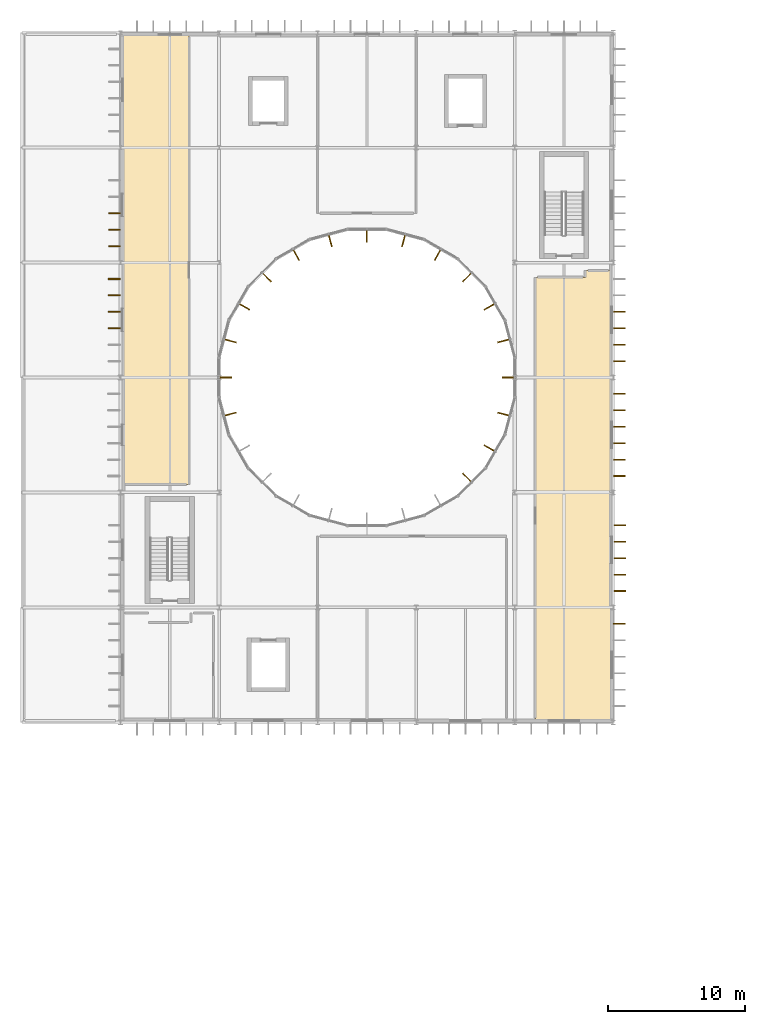
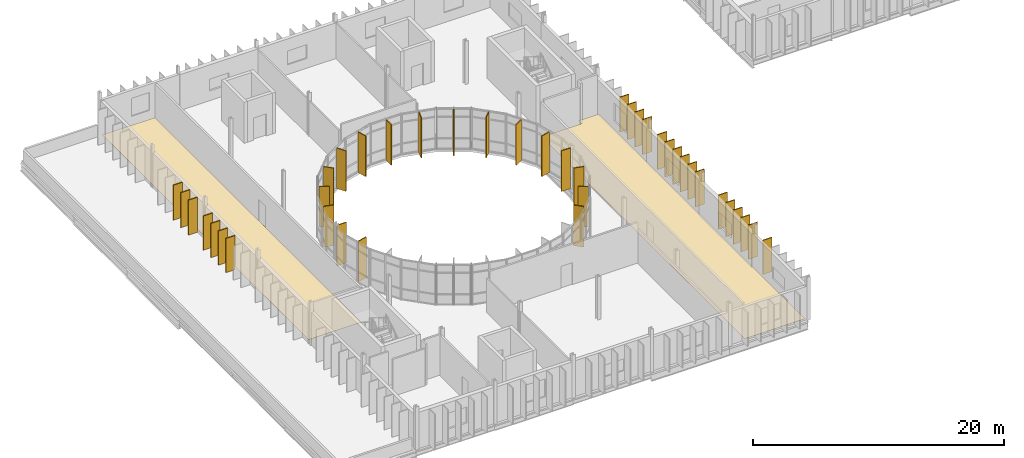
# One storey, part 47 of 52: 40 shading devices, 2 coverings.
"""IFC4 building model written with IfcOpenShell, lengths in metres."""

from ifc_helpers import new_model, si_unit, direction, frame, origin, origin_2d, place, context, subcontext, project, spatial, polyline, rectangle, outline, extrude, material, layer, layer_set, type_object, element, save


model = new_model("IFC4")

# Units and contexts
model_context = context("Model", 3, precision=1e-05, world=origin(), true_north=direction((0.0, 1.0)))
body_context = subcontext(model_context, "Body", "Model", "MODEL_VIEW")
ifc_project = project(units=[si_unit("LENGTHUNIT", "METRE"), si_unit("AREAUNIT", "SQUARE_METRE"), si_unit("VOLUMEUNIT", "CUBIC_METRE"), si_unit("PLANEANGLEUNIT", "RADIAN"), si_unit("MASSUNIT", "GRAM", prefix="KILO")], contexts=[model_context])

# Site, building, storey
site_placement = place(None, origin())
site = spatial("IfcSite", under=ifc_project, at=site_placement, CompositionType="ELEMENT")
building_placement = place(site_placement, origin())
building = spatial("IfcBuilding", under=site, at=building_placement, Name="Qelthora Terrace Specialist Clinic", CompositionType="ELEMENT")
storey_placement = place(building_placement, frame((0.0, 0.0, 17.39990234375)))
storey = spatial("IfcBuildingStorey", under=building, at=storey_placement, Name="L04", CompositionType="ELEMENT", Elevation=17.39990234375)

# Coverings
ifc_material_1 = material(Name="Antimicrobial clinical linoleum flooring", Category="other")
ifc_layer = layer(ifc_material_1, 0.011962890625)
ifc_layer_set = layer_set([ifc_layer], Name="Antimicrobial clinical linoleum flooring")
covering_type = type_object("IfcCoveringType", Name="COV-FLR-LINO-12", PredefinedType="FLOORING", material=ifc_layer_set)
covering_1_placement = place(storey_placement, origin())
element("IfcCovering", 1, at=covering_1_placement, inside=storey, type_object=covering_type, Name="USP 800 Oncology Pharmacy Cleanroom L04-51 resilient linoleum flooring", PredefinedType="FLOORING", context=body_context, shape_type="SweptSolid", body=[
    extrude(outline(polyline([(7.35009765625, 76.199951171875), (7.35009765625, 109.050048828125), (12.199951171875, 109.050048828125), (12.199951171875, 76.199951171875), (7.35009765625, 76.199951171875)])), origin(), (0.0, 0.0, 1.0), 0.01220703125),
])
covering_2_placement = place(storey_placement, origin())
element("IfcCovering", 2, at=covering_2_placement, inside=storey, type_object=covering_type, Name="USP 797 Sterile Pharmacy Compounding Suite L04-52 resilient linoleum flooring", PredefinedType="FLOORING", context=body_context, shape_type="SweptSolid", body=[
    extrude(outline(polyline([(41.159912109375, 91.31494140625), (41.159912109375, 91.800048828125), (43.050048828125, 91.800048828125), (43.050048828125, 58.949951171875), (37.5, 58.949951171875), (37.5, 91.31494140625), (41.159912109375, 91.31494140625)])), origin(), (0.0, 0.0, 1.0), 0.01220703125),
])

# Shading devices
ifc_material_2 = material(Name="Glulam timber GL28h", Category="wood")
shading_device_type = type_object("IfcShadingDeviceType", Name="SHD-FIN-850", PredefinedType="USERDEFINED", material=ifc_material_2)
for number, where, z_axis, x_axis, name in (
    (3, (35.1611328125, 86.669189453125, 0.0), (0.0, 0.0, 1.0), (-0.965925826289, -0.258819045103, 0.0), "Court solar fin FIN-0177"),
    (4, (34.130859375, 89.15625, 0.0), (0.0, 0.0, 1.0), (-0.866025403784, -0.5, 0.0), "Court solar fin FIN-0178"),
    (5, (32.4921875, 91.292236328125, 0.0), (0.0, 0.0, 1.0), (-0.707106781187, -0.707106781187, 0.0), "Court solar fin FIN-0179"),
    (6, (30.356201171875, 92.930908203125, 0.0), (0.0, 0.0, 1.0), (-0.5, -0.866025403784, 0.0), "Court solar fin FIN-0180"),
    (7, (27.869140625, 93.961181640625, 0.0), (0.0, 0.0, 1.0), (-0.258819045103, -0.965925826289, 0.0), "Court solar fin FIN-0181"),
    (8, (25.199951171875, 94.3125, 0.0), (0.0, 0.0, 1.0), (0.0, -1.0, 0.0), "Court solar fin FIN-0182"),
    (9, (22.531005859375, 93.961181640625, 0.0), (0.0, 0.0, 1.0), (0.258819045103, -0.965925826289, 0.0), "Court solar fin FIN-0183"),
    (10, (20.043701171875, 92.930908203125, 0.0), (0.0, 0.0, 1.0), (0.5, -0.866025403784, 0.0), "Court solar fin FIN-0184"),
    (11, (17.907958984375, 91.292236328125, 0.0), (0.0, 0.0, 1.0), (0.707106781187, -0.707106781187, 0.0), "Court solar fin FIN-0185"),
    (12, (16.26904296875, 89.15625, 0.0), (0.0, 0.0, 1.0), (0.866025403784, -0.5, 0.0), "Court solar fin FIN-0186"),
    (13, (15.23876953125, 86.669189453125, 0.0), (0.0, 0.0, 1.0), (0.965925826289, -0.258819045103, 0.0), "Court solar fin FIN-0187"),
    (14, (14.887451171875, 84.0, 0.0), (0.0, 0.0, 1.0), (1.0, 0.0, 0.0), "Court solar fin FIN-0188"),
    (15, (15.23876953125, 81.330810546875, 0.0), (0.0, 0.0, 1.0), (0.965925826289, 0.258819045103, 0.0), "Court solar fin FIN-0189"),
    (16, (32.4921875, 76.707763671875, 0.0), (0.0, 0.0, 1.0), (-0.707106781187, 0.707106781187, 0.0), "Court solar fin FIN-0197"),
    (17, (34.130859375, 78.84375, 0.0), (0.0, 0.0, 1.0), (-0.866025403784, 0.5, 0.0), "Court solar fin FIN-0198"),
    (18, (35.1611328125, 81.330810546875, 0.0), (0.0, 0.0, 1.0), (-0.965925826289, 0.258819045103, 0.0), "Court solar fin FIN-0199"),
    (19, (35.5126953125, 84.0, 0.0), (0.0, 0.0, 1.0), (-1.0, 0.0, 0.0), "Court solar fin FIN-0200"),
):
    element("IfcShadingDevice", number, at=place(storey_placement, frame(where, z_axis=z_axis, x_axis=x_axis)), inside=storey, type_object=shading_device_type, Name=name, ObjectType="FIN", PredefinedType="USERDEFINED", context=body_context, shape_type="SweptSolid", body=[
        extrude(rectangle(XDim=0.85009765625, YDim=0.080078125, at=origin_2d()), origin(), (0.0, 0.0, 1.0), 3.945068359375),
    ])
for number, where, z_axis, x_axis, name in (
    (20, (6.735107421875, 87.60009765625, 0.0), (0.0, 0.0, 1.0), (-1.0, 0.0, 0.0), "Exterior solar shading fin FIN-1935"),
    (21, (6.735107421875, 88.800048828125, 0.0), (0.0, 0.0, 1.0), (-1.0, 0.0, 0.0), "Exterior solar shading fin FIN-1936"),
    (22, (6.735107421875, 90.0, 0.0), (0.0, 0.0, 1.0), (-1.0, 0.0, 0.0), "Exterior solar shading fin FIN-1937"),
    (23, (6.735107421875, 91.199951171875, 0.0), (0.0, 0.0, 1.0), (-1.0, 0.0, 0.0), "Exterior solar shading fin FIN-1938"),
):
    element("IfcShadingDevice", number, at=place(storey_placement, frame(where, z_axis=z_axis, x_axis=x_axis)), inside=storey, type_object=shading_device_type, Name=name, ObjectType="FIN", PredefinedType="USERDEFINED", context=body_context, shape_type="SweptSolid", body=[
        extrude(rectangle(XDim=0.85009765625, YDim=0.080078125, at=origin_2d()), origin(), (0.0, 0.0, 1.0), 3.324951171875),
    ])
for number, where, z_axis, x_axis, name in (
    (24, (6.7451171875, 93.60009765625, 0.000244140625), (0.0, 0.0, 1.0), (-1.0, 0.0, 0.0), "Exterior solar shading fin FIN-1939"),
    (25, (6.7451171875, 94.800048828125, 0.000244140625), (0.0, 0.0, 1.0), (-1.0, 0.0, 0.0), "Exterior solar shading fin FIN-1940"),
    (26, (6.7451171875, 96.0, 0.000244140625), (0.0, 0.0, 1.0), (-1.0, 0.0, 0.0), "Exterior solar shading fin FIN-1941"),
):
    element("IfcShadingDevice", number, at=place(storey_placement, frame(where, z_axis=z_axis, x_axis=x_axis)), inside=storey, type_object=shading_device_type, Name=name, ObjectType="FIN", PredefinedType="USERDEFINED", context=body_context, shape_type="SweptSolid", body=[
        extrude(rectangle(XDim=0.85009765625, YDim=0.080078125, at=origin_2d()), origin(), (0.0, 0.0, 1.0), 3.39794921875),
    ])
for number, where, z_axis, x_axis, name in (
    (27, (43.635009765625, 66.0, 0.0), (0.0, 0.0, 1.0), (1.0, 0.0, 0.0), "Exterior solar shading fin FIN-1980"),
    (28, (43.695068359375, 68.39990234375, 0.0), (0.0, 0.0, 1.0), (1.0, 0.0, 0.0), "Exterior solar shading fin FIN-1981"),
    (29, (43.695068359375, 69.60009765625, 0.0), (0.0, 0.0, 1.0), (1.0, 0.0, 0.0), "Exterior solar shading fin FIN-1982"),
    (30, (43.695068359375, 70.800048828125, 0.0), (0.0, 0.0, 1.0), (1.0, 0.0, 0.0), "Exterior solar shading fin FIN-1983"),
    (31, (43.695068359375, 72.0, 0.0), (0.0, 0.0, 1.0), (1.0, 0.0, 0.0), "Exterior solar shading fin FIN-1984"),
    (32, (43.695068359375, 73.199951171875, 0.0), (0.0, 0.0, 1.0), (1.0, 0.0, 0.0), "Exterior solar shading fin FIN-1985"),
):
    element("IfcShadingDevice", number, at=place(storey_placement, frame(where, z_axis=z_axis, x_axis=x_axis)), inside=storey, type_object=shading_device_type, Name=name, ObjectType="FIN", PredefinedType="USERDEFINED", context=body_context, shape_type="SweptSolid", body=[
        extrude(rectangle(XDim=0.85009765625, YDim=0.080078125, at=origin_2d()), origin(), (0.0, 0.0, 1.0), 3.324951171875),
    ])
for number, where, z_axis, x_axis, name in (
    (33, (43.6650390625, 76.800048828125, 0.000244140625), (0.0, 0.0, 1.0), (1.0, 0.0, 0.0), "Exterior solar shading fin FIN-1986"),
    (34, (43.6650390625, 78.0, 0.000244140625), (0.0, 0.0, 1.0), (1.0, 0.0, 0.0), "Exterior solar shading fin FIN-1987"),
    (35, (43.6650390625, 79.199951171875, 0.000244140625), (0.0, 0.0, 1.0), (1.0, 0.0, 0.0), "Exterior solar shading fin FIN-1988"),
    (36, (43.6650390625, 80.39990234375, 0.000244140625), (0.0, 0.0, 1.0), (1.0, 0.0, 0.0), "Exterior solar shading fin FIN-1989"),
    (37, (43.6650390625, 81.60009765625, 0.000244140625), (0.0, 0.0, 1.0), (1.0, 0.0, 0.0), "Exterior solar shading fin FIN-1990"),
    (38, (43.6650390625, 82.800048828125, 0.000244140625), (0.0, 0.0, 1.0), (1.0, 0.0, 0.0), "Exterior solar shading fin FIN-1991"),
):
    element("IfcShadingDevice", number, at=place(storey_placement, frame(where, z_axis=z_axis, x_axis=x_axis)), inside=storey, type_object=shading_device_type, Name=name, ObjectType="FIN", PredefinedType="USERDEFINED", context=body_context, shape_type="SweptSolid", body=[
        extrude(rectangle(XDim=0.85009765625, YDim=0.080078125, at=origin_2d()), origin(), (0.0, 0.0, 1.0), 3.39794921875),
    ])
for number, where, z_axis, x_axis, name in (
    (39, (43.655029296875, 85.199951171875, 0.0), (0.0, 0.0, 1.0), (1.0, 0.0, 0.0), "Exterior solar shading fin FIN-1992"),
    (40, (43.655029296875, 86.39990234375, 0.0), (0.0, 0.0, 1.0), (1.0, 0.0, 0.0), "Exterior solar shading fin FIN-1993"),
    (41, (43.655029296875, 87.60009765625, 0.0), (0.0, 0.0, 1.0), (1.0, 0.0, 0.0), "Exterior solar shading fin FIN-1994"),
    (42, (43.655029296875, 88.800048828125, 0.0), (0.0, 0.0, 1.0), (1.0, 0.0, 0.0), "Exterior solar shading fin FIN-1995"),
):
    element("IfcShadingDevice", number, at=place(storey_placement, frame(where, z_axis=z_axis, x_axis=x_axis)), inside=storey, type_object=shading_device_type, Name=name, ObjectType="FIN", PredefinedType="USERDEFINED", context=body_context, shape_type="SweptSolid", body=[
        extrude(rectangle(XDim=0.85009765625, YDim=0.080078125, at=origin_2d()), origin(), (0.0, 0.0, 1.0), 3.405029296875),
    ])

save(model, "model.ifc")
